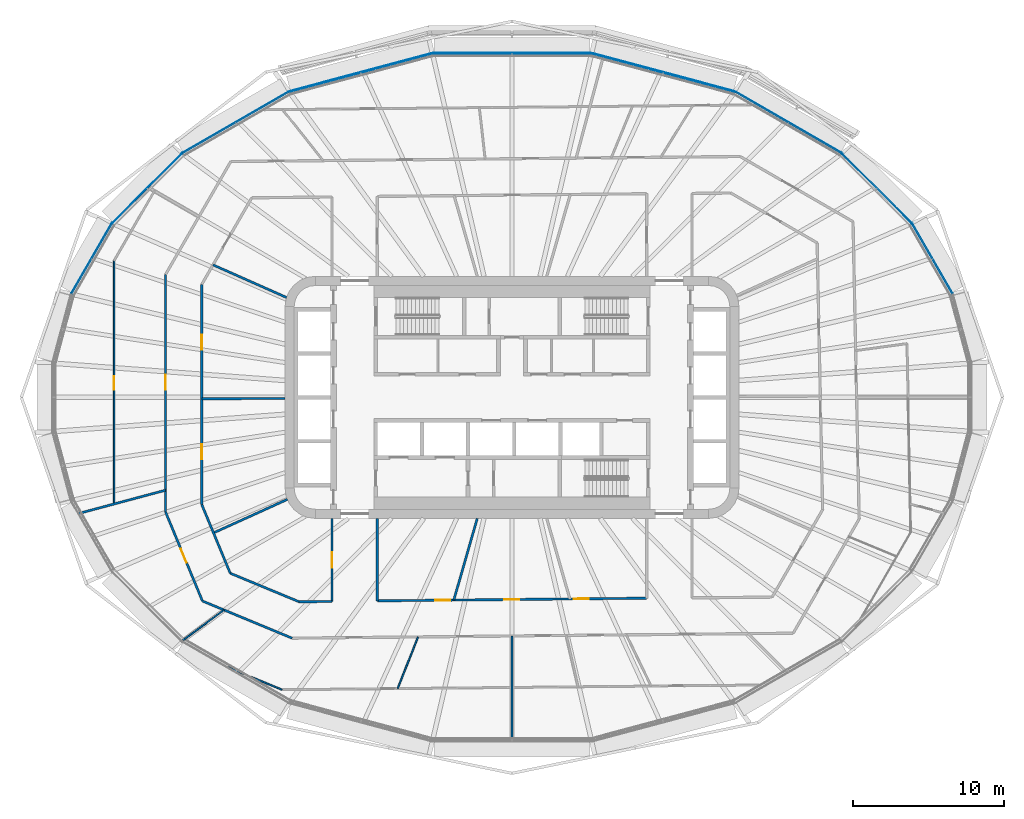
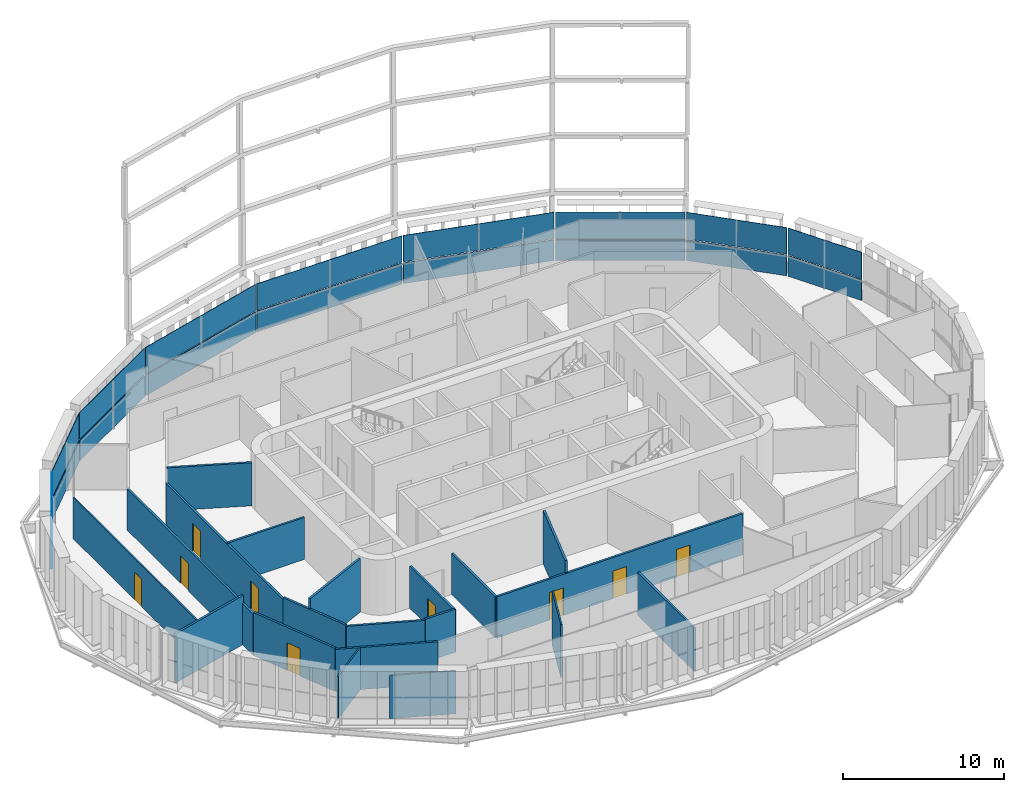
# One storey, part 10 of 22: 20 walls, 18 plates, 9 doors, 9 openings, 9 elements without a shape of their own.
"""IFC4 building model written with IfcOpenShell, lengths in metres."""

import ifcopenshell
import ifcopenshell.guid

model = None  # the IFC model being written
_history = None  # IfcOwnerHistory: only IFC2X3 demands one
_inside = {}  # id of a spatial element -> (the spatial element, [elements in it])
_under = {}  # id of a project, library or spatial element -> (it, [spatial elements below it])
_declared = {}  # id of a project -> (the project, [libraries it declares])
_typed = {}  # id of a type object -> (the type object, [elements of that type])
_made_of = {}  # id of a material, layer set ... -> (it, [elements and type objects made of it])


def new_model(schema):
    """Start an empty IFC model of exactly this schema.

    Asked for "IFC4X3", IfcOpenShell would pick the latest addendum, in which some entities
    have other attributes; the version numbers below select the first issue.
    IFC2X3 requires an IfcOwnerHistory on every rooted entity: one is made here for all.
    """
    global model, _history
    if schema == "IFC4X3":
        model = ifcopenshell.file(schema_version=(4, 3, 0, 0))
    else:
        model = ifcopenshell.file(schema=schema)
    _inside.clear()
    _under.clear()
    _declared.clear()
    _typed.clear()
    _made_of.clear()
    _history = None
    if model.schema == "IFC2X3":
        org = make("IfcOrganization", Name="unknown")
        user = make(
            "IfcPersonAndOrganization",
            ThePerson=make("IfcPerson", FamilyName="unknown"),
            TheOrganization=org,
        )
        app = make(
            "IfcApplication",
            ApplicationDeveloper=org,
            Version="unknown",
            ApplicationFullName="unknown",
            ApplicationIdentifier="unknown",
        )
        _history = make(
            "IfcOwnerHistory",
            OwningUser=user,
            OwningApplication=app,
            ChangeAction="ADDED",
            CreationDate=0,
        )
    return model


def make(cls, **values):
    """One entity of the class cls with the attributes given. An attribute that is None is left unset."""
    return model.create_entity(
        cls, **{name: value for name, value in values.items() if value is not None}
    )


def rooted(cls, **values):
    """An entity with a GlobalId (a new one), such as an element, a storey or a relation."""
    return make(cls, GlobalId=ifcopenshell.guid.new(), OwnerHistory=_history, **values)


def si_unit(unit_type, name, prefix=None):
    """IfcSIUnit, for example si_unit("LENGTHUNIT", "METRE", prefix="MILLI")."""
    return make("IfcSIUnit", UnitType=unit_type, Prefix=prefix, Name=name)


def assignment(units):
    """IfcUnitAssignment: the units of a project."""
    return None if units is None else make("IfcUnitAssignment", Units=units)


def point(xyz):
    """IfcCartesianPoint."""
    return None if xyz is None else make("IfcCartesianPoint", Coordinates=xyz)


def direction(xyz):
    """IfcDirection."""
    return None if xyz is None else make("IfcDirection", DirectionRatios=xyz)


def frame(location, z_axis=None, x_axis=None):
    """IfcAxis2Placement3D, a coordinate frame: its origin and axes. An axis left out is left unset."""
    return make(
        "IfcAxis2Placement3D",
        Location=point(location),
        Axis=direction(z_axis),
        RefDirection=direction(x_axis),
    )


def frame_2d(location, x_axis=None):
    """IfcAxis2Placement2D, a coordinate frame in the plane: its origin and x axis."""
    return make(
        "IfcAxis2Placement2D", Location=point(location), RefDirection=direction(x_axis)
    )


def origin():
    """The frame at (0, 0, 0) with its axes left unset."""
    return frame((0.0, 0.0, 0.0))


def place(relative_to, where):
    """IfcLocalPlacement: puts the frame where relative to a parent placement (None: the world)."""
    return make(
        "IfcLocalPlacement", PlacementRelTo=relative_to, RelativePlacement=where
    )


def context(
    kind, dimensions, precision=None, world=None, true_north=None, identifier=None
):
    """IfcGeometricRepresentationContext, for example the 3D "Model" context."""
    return make(
        "IfcGeometricRepresentationContext",
        ContextIdentifier=identifier,
        ContextType=kind,
        CoordinateSpaceDimension=dimensions,
        Precision=precision,
        WorldCoordinateSystem=world,
        TrueNorth=true_north,
    )


def subcontext(parent, identifier, kind, view, scale=None):
    """IfcGeometricRepresentationSubContext, for example "Body" below "Model"."""
    return make(
        "IfcGeometricRepresentationSubContext",
        ContextIdentifier=identifier,
        ContextType=kind,
        ParentContext=parent,
        TargetScale=scale,
        TargetView=view,
    )


def project(units=None, contexts=None):
    """IfcProject with its units and contexts."""
    return rooted(
        "IfcProject",
        Name="project",
        RepresentationContexts=contexts,
        UnitsInContext=assignment(units),
    )


def spatial(cls, under=None, at=None, **own):
    """A site, building, storey or space (cls), placed at a placement, below another one or the project."""
    s = rooted(cls, ObjectPlacement=at, **own)
    if under is not None:
        _under.setdefault(under.id(), (under, []))[1].append(s)
    return s


def polyline(points):
    """IfcPolyline through the points."""
    return make("IfcPolyline", Points=[point(p) for p in points])


def profile(cls, at=None, kind="AREA", **sizes):
    """A parametric profile (cls). Its sizes go by their IFC names, for example OverallWidth=200.0."""
    return make(cls, ProfileType=kind, Position=at, **sizes)


def rectangle(**sizes):
    """IfcRectangleProfileDef."""
    return profile("IfcRectangleProfileDef", **sizes)


def outline(outer, holes=None, kind="AREA"):
    """IfcArbitraryClosedProfileDef: a profile drawn as a closed curve; with holes, ...WithVoids."""
    if holes is None:
        return make("IfcArbitraryClosedProfileDef", ProfileType=kind, OuterCurve=outer)
    return make(
        "IfcArbitraryProfileDefWithVoids",
        ProfileType=kind,
        OuterCurve=outer,
        InnerCurves=holes,
    )


def extrude(swept, where, along, depth):
    """IfcExtrudedAreaSolid: the profile swept, set in the frame where, extruded along a direction by depth."""
    return make(
        "IfcExtrudedAreaSolid",
        SweptArea=swept,
        Position=where,
        ExtrudedDirection=direction(along),
        Depth=depth,
    )


def shape(context_of_items, identifier, shape_type, items):
    """IfcShapeRepresentation: the items that make up one representation, for example the "Body"."""
    return make(
        "IfcShapeRepresentation",
        ContextOfItems=context_of_items,
        RepresentationIdentifier=identifier,
        RepresentationType=shape_type,
        Items=items,
    )


def material(Name=None, Category=None):
    """IfcMaterial."""
    return make("IfcMaterial", Name=Name, Category=Category)


def layer(
    of_material, thickness, ventilated=None, Name=None, Category=None, Priority=None
):
    """IfcMaterialLayer: one layer of a wall or slab, of a material (None: an air gap)."""
    return make(
        "IfcMaterialLayer",
        Material=of_material,
        LayerThickness=thickness,
        IsVentilated=ventilated,
        Name=Name,
        Category=Category,
        Priority=Priority,
    )


def layer_set(layers, Name=None):
    """IfcMaterialLayerSet."""
    return make("IfcMaterialLayerSet", MaterialLayers=layers, LayerSetName=Name)


def made_of(thing, what):
    """Note that an element or type object is made of a material, layer set ...; save() writes the relation."""
    if what is not None:
        _made_of.setdefault(what.id(), (what, []))[1].append(thing)
    return thing


def type_object(cls, material=None, **own):
    """A type object (cls), such as IfcWallType, which elements share."""
    return made_of(rooted(cls, **own), material)


def element(
    cls,
    number,
    at=None,
    inside=None,
    cuts=None,
    type_object=None,
    material=None,
    context=None,
    identifier="Body",
    shape_type=None,
    held_by="IfcProductDefinitionShape",
    body=None,
    shapes=None,
    **own,
):
    """One element of the class cls, such as IfcWall. Its Tag is "e" and its number.

    at: its placement. inside: the storey or other place that contains it. cuts: it is an
    opening in that element (IfcRelVoidsElement). A single representation is given by context,
    identifier, shape_type and body (its items); several are given by shapes. held_by: the class
    of the entity that holds the representations. save() writes the other relations.
    """
    e = rooted(cls, Tag="e%d" % number, ObjectPlacement=at, **own)
    if body is not None:
        shapes = [shape(context, identifier, shape_type, body)]
    if shapes is not None:
        e.Representation = make(held_by, Representations=shapes)
    if inside is not None:
        _inside.setdefault(inside.id(), (inside, []))[1].append(e)
    if cuts is not None:
        rooted(
            "IfcRelVoidsElement", RelatingBuildingElement=cuts, RelatedOpeningElement=e
        )
    if type_object is not None:
        _typed.setdefault(type_object.id(), (type_object, []))[1].append(e)
    return made_of(e, material)


def fill(opening, filler):
    """IfcRelFillsElement: the door or window that sits in an opening."""
    return rooted(
        "IfcRelFillsElement",
        RelatingOpeningElement=opening,
        RelatedBuildingElement=filler,
    )


def aggregate(whole, parts):
    """IfcRelAggregates: a whole, such as a stair, and the parts it consists of."""
    return rooted("IfcRelAggregates", RelatingObject=whole, RelatedObjects=parts)


def save(model, path):
    """Write the relations noted so far, then the file.

    IfcRelAggregates (storeys below a building ...), IfcRelContainedInSpatialStructure (elements
    in a storey), IfcRelDefinesByType, IfcRelAssociatesMaterial and IfcRelDeclares: one each for
    every whole, place, type object, material and project.
    """
    for whole, parts in _under.values():
        aggregate(whole, parts)
    for where, things in _inside.values():
        rooted(
            "IfcRelContainedInSpatialStructure",
            RelatedElements=things,
            RelatingStructure=where,
        )
    for kind, things in _typed.values():
        rooted("IfcRelDefinesByType", RelatedObjects=things, RelatingType=kind)
    for what, things in _made_of.values():
        rooted("IfcRelAssociatesMaterial", RelatedObjects=things, RelatingMaterial=what)
    for by, libraries in _declared.values():
        rooted("IfcRelDeclares", RelatingContext=by, RelatedDefinitions=libraries)
    model.write(path)


model = new_model("IFC4")

# Units and contexts
model_context = context("Model", 3, precision=1e-05, world=origin(), true_north=direction((0.0, 1.0)))
body_context = subcontext(model_context, "Body", "Model", "MODEL_VIEW")
ifc_project = project(units=[si_unit("LENGTHUNIT", "METRE"), si_unit("AREAUNIT", "SQUARE_METRE"), si_unit("VOLUMEUNIT", "CUBIC_METRE"), si_unit("PLANEANGLEUNIT", "RADIAN"), si_unit("MASSUNIT", "GRAM", prefix="KILO")], contexts=[model_context])

# Site, building, storey
site_placement = place(None, origin())
site = spatial("IfcSite", under=ifc_project, at=site_placement, CompositionType="ELEMENT")
building_placement = place(site_placement, origin())
building = spatial("IfcBuilding", under=site, at=building_placement, Name="Sahrelin Media Tower", CompositionType="ELEMENT")
storey_placement = place(building_placement, frame((0.0, 0.0, 50.39990234375)))
storey = spatial("IfcBuildingStorey", under=building, at=storey_placement, Name="L07", CompositionType="ELEMENT", Elevation=50.39990234375)

# Curtain wall, plate
ifc_material_1 = material(Name="Champagne anodised aluminium 6063-T6", Category="aluminium")
ifc_layer_1 = layer(ifc_material_1, 0.14990234375)
ifc_layer_set_1 = layer_set([ifc_layer_1], Name="Tower ribbon curtain wall")
curtain_wall_type = type_object("IfcCurtainWallType", Name="Tower ribbon curtain wall", PredefinedType="NOTDEFINED", material=ifc_layer_set_1)
curtain_wall_1_placement = place(storey_placement, frame((27.79638671875, 9.162841796875, 0.0), z_axis=(0.0, 0.0, 1.0), x_axis=(1.0, 0.0, 0.0)))
curtain_wall_1 = element("IfcCurtainWall", 1, at=curtain_wall_1_placement, inside=storey, type_object=curtain_wall_type, Name="L07:CW:L07-02", PredefinedType="NOTDEFINED")
ifc_material_2 = material(Name="Clear low-iron glazing", Category="glass")
ifc_layer_2 = layer(ifc_material_2, 0.0400390625)
ifc_layer_set_2 = layer_set([ifc_layer_2], Name="Glazing panel 40 mm CW1")
plate_type_1 = type_object("IfcPlateType", Name="Glazing panel 40 mm CW1", PredefinedType="CURTAIN_PANEL", material=ifc_layer_set_2)
plate_1_placement = place(storey_placement, frame((29.13525390625, 6.8837890625, 1.630126953125), z_axis=(0.866023301845, 0.500003640647, 0.0), x_axis=(-0.500003640647, 0.866023301845, 0.0)))
plate_1 = element("IfcPlate", 2, at=plate_1_placement, type_object=plate_type_1, Name="L07:CWP2:L07-02", PredefinedType="CURTAIN_PANEL", context=body_context, shape_type="SweptSolid", body=[
    extrude(outline(polyline([(0.0, 0.0), (5.2861328125, 0.0), (5.2861328125, 2.0185546875), (0.0, 2.0185546875), (0.0, 0.0)])), origin(), (0.0, 0.0, -1.0), 0.0400390625),
])

curtain_wall_2_placement = place(storey_placement, frame((24.13427734375, 13.810791015625, 0.0), z_axis=(0.0, 0.0, 1.0), x_axis=(1.0, 0.0, 0.0)))
curtain_wall_2 = element("IfcCurtainWall", 3, at=curtain_wall_2_placement, inside=storey, type_object=curtain_wall_type, Name="L07:CW:L07-03", PredefinedType="NOTDEFINED")
plate_2_placement = place(storey_placement, frame((26.4287109375, 11.54443359375, 1.630126953125), z_axis=(0.707125706255, 0.707087855612, 0.0), x_axis=(-0.707087855612, 0.707125706255, 0.0)))
plate_2 = element("IfcPlate", 4, at=plate_2_placement, type_object=plate_type_1, Name="L07:CWP2:L07-03", PredefinedType="CURTAIN_PANEL", context=body_context, shape_type="SweptSolid", body=[
    extrude(outline(polyline([(0.0, 0.0), (6.4501953125, 0.0), (6.4501953125, 2.0185546875), (0.0, 2.0185546875), (0.0, 0.0)])), origin(), (0.0, 0.0, -1.0), 0.0400390625),
])

curtain_wall_3_placement = place(storey_placement, frame((18.27880859375, 18.170166015625, 0.0), z_axis=(0.0, 0.0, 1.0), x_axis=(1.0, 0.0, 0.0)))
curtain_wall_3 = element("IfcCurtainWall", 5, at=curtain_wall_3_placement, inside=storey, type_object=curtain_wall_type, Name="L07:CW:L07-04", PredefinedType="NOTDEFINED")
plate_3_placement = place(storey_placement, frame((21.784912109375, 16.1689453125, 1.630126953125), z_axis=(0.500015609314, 0.866016391555, 0.0), x_axis=(-0.866016391555, 0.500015609314, 0.0)))
plate_3 = element("IfcPlate", 6, at=plate_3_placement, type_object=plate_type_1, Name="L07:CWP2:L07-04", PredefinedType="CURTAIN_PANEL", context=body_context, shape_type="SweptSolid", body=[
    extrude(outline(polyline([(0.0, 0.0), (8.073974609375, 0.0), (8.073974609375, 2.0185546875), (0.0, 2.0185546875), (0.0, 0.0)])), origin(), (0.0, 0.0, -1.0), 0.0400390625),
])

curtain_wall_4_placement = place(storey_placement, frame((10.003173828125, 21.48291015625, 0.0), z_axis=(0.0, 0.0, 1.0), x_axis=(1.0, 0.0, 0.0)))
curtain_wall_4 = element("IfcCurtainWall", 7, at=curtain_wall_4_placement, inside=storey, type_object=curtain_wall_type, Name="L07:CW:L07-05", PredefinedType="NOTDEFINED")
plate_4_placement = place(storey_placement, frame((14.6962890625, 20.24609375, 1.630126953125), z_axis=(0.258811517238, 0.965927843343, 0.0), x_axis=(-0.965927843343, 0.258811517238, 0.0)))
plate_4 = element("IfcPlate", 8, at=plate_4_placement, type_object=plate_type_1, Name="L07:CWP2:L07-05", PredefinedType="CURTAIN_PANEL", context=body_context, shape_type="SweptSolid", body=[
    extrude(outline(polyline([(0.0, 0.0), (9.706787109375, 0.0), (9.706787109375, 2.0185546875), (0.0, 2.0185546875), (0.0, 0.0)])), origin(), (0.0, 0.0, -1.0), 0.0400390625),
])

curtain_wall_5_placement = place(storey_placement, frame((0.0, 22.751708984375, 0.0), z_axis=(0.0, 0.0, 1.0), x_axis=(1.0, 0.0, 0.0)))
curtain_wall_5 = element("IfcCurtainWall", 9, at=curtain_wall_5_placement, inside=storey, type_object=curtain_wall_type, Name="L07:CW:L07-06", PredefinedType="NOTDEFINED")
plate_5_placement = place(storey_placement, frame((5.216796875, 22.771728515625, 1.630126953125), z_axis=(0.0, 1.0, 0.0), x_axis=(-1.0, 0.0, 0.0)))
plate_5 = element("IfcPlate", 10, at=plate_5_placement, type_object=plate_type_1, Name="L07:CWP2:L07-06", PredefinedType="CURTAIN_PANEL", context=body_context, shape_type="SweptSolid", body=[
    extrude(outline(polyline([(0.0, 0.0), (10.43359375, 0.0), (10.43359375, 2.0185546875), (0.0, 2.0185546875), (0.0, 0.0)])), origin(), (0.0, 0.0, -1.0), 0.0400390625),
])

curtain_wall_6_placement = place(storey_placement, frame((-10.003173828125, 21.482666015625, 0.0), z_axis=(0.0, 0.0, 1.0), x_axis=(1.0, 0.0, 0.0)))
curtain_wall_6 = element("IfcCurtainWall", 11, at=curtain_wall_6_placement, inside=storey, type_object=curtain_wall_type, Name="L07:CW:L07-07", PredefinedType="NOTDEFINED")
plate_6_placement = place(storey_placement, frame((-5.3203125, 22.75830078125, 1.630126953125), z_axis=(-0.258811517238, 0.965927843343, 0.0), x_axis=(-0.965927843343, -0.258811517238, 0.0)))
plate_6 = element("IfcPlate", 12, at=plate_6_placement, type_object=plate_type_1, Name="L07:CWP2:L07-07", PredefinedType="CURTAIN_PANEL", context=body_context, shape_type="SweptSolid", body=[
    extrude(outline(polyline([(0.0, 0.0), (9.706787109375, 0.0), (9.706787109375, 2.0185546875), (0.0, 2.0185546875), (0.0, 0.0)])), origin(), (0.0, 0.0, -1.0), 0.0400390625),
])

curtain_wall_7_placement = place(storey_placement, frame((-18.27880859375, 18.170166015625, 0.0), z_axis=(0.0, 0.0, 1.0), x_axis=(1.0, 0.0, 0.0)))
curtain_wall_7 = element("IfcCurtainWall", 13, at=curtain_wall_7_placement, inside=storey, type_object=curtain_wall_type, Name="L07:CW:L07-08", PredefinedType="NOTDEFINED")
plate_7_placement = place(storey_placement, frame((-14.792724609375, 20.2060546875, 1.630126953125), z_axis=(-0.500015609314, 0.866016391555, 0.0), x_axis=(-0.866016391555, -0.500015609314, 0.0)))
plate_7 = element("IfcPlate", 14, at=plate_7_placement, type_object=plate_type_1, Name="L07:CWP2:L07-08", PredefinedType="CURTAIN_PANEL", context=body_context, shape_type="SweptSolid", body=[
    extrude(outline(polyline([(0.0, 0.0), (8.073974609375, 0.0), (8.073974609375, 2.0185546875), (0.0, 2.0185546875), (0.0, 0.0)])), origin(), (0.0, 0.0, -1.0), 0.0400390625),
])

curtain_wall_8_placement = place(storey_placement, frame((-24.134033203125, 13.810791015625, 0.0), z_axis=(0.0, 0.0, 1.0), x_axis=(1.0, 0.0, 0.0)))
curtain_wall_8 = element("IfcCurtainWall", 15, at=curtain_wall_8_placement, inside=storey, type_object=curtain_wall_type, Name="L07:CW:L07-09", PredefinedType="NOTDEFINED")
plate_8_placement = place(storey_placement, frame((-21.867919921875, 16.10546875, 1.630126953125), z_axis=(-0.707125706255, 0.707087855612, 0.0), x_axis=(-0.707087855612, -0.707125706255, 0.0)))
plate_8 = element("IfcPlate", 16, at=plate_8_placement, type_object=plate_type_1, Name="L07:CWP2:L07-09", PredefinedType="CURTAIN_PANEL", context=body_context, shape_type="SweptSolid", body=[
    extrude(outline(polyline([(0.0, 0.0), (6.4501953125, 0.0), (6.4501953125, 2.0185546875), (0.0, 2.0185546875), (0.0, 0.0)])), origin(), (0.0, 0.0, -1.0), 0.0400390625),
])

curtain_wall_9_placement = place(storey_placement, frame((-27.79638671875, 9.162841796875, 0.0), z_axis=(0.0, 0.0, 1.0), x_axis=(1.0, 0.0, 0.0)))
curtain_wall_9 = element("IfcCurtainWall", 17, at=curtain_wall_9_placement, inside=storey, type_object=curtain_wall_type, Name="L07:CW:L07-10", PredefinedType="NOTDEFINED")
plate_9_placement = place(storey_placement, frame((-26.4921875, 11.461669921875, 1.630126953125), z_axis=(-0.866023301845, 0.500003640647, 0.0), x_axis=(-0.500003640647, -0.866023301845, 0.0)))
plate_9 = element("IfcPlate", 18, at=plate_9_placement, type_object=plate_type_1, Name="L07:CWP2:L07-10", PredefinedType="CURTAIN_PANEL", context=body_context, shape_type="SweptSolid", body=[
    extrude(outline(polyline([(0.0, 0.0), (5.2861328125, 0.0), (5.2861328125, 2.0185546875), (0.0, 2.0185546875), (0.0, 0.0)])), origin(), (0.0, 0.0, -1.0), 0.0400390625),
])

# Plate
ifc_material_3 = material(Name="Insulated spandrel panel")
ifc_layer_3 = layer(ifc_material_3, 0.06005859375)
ifc_layer_set_3 = layer_set([ifc_layer_3], Name="Spandrel panel 60 mm CW1")
plate_type_2 = type_object("IfcPlateType", Name="Spandrel panel 60 mm CW1", PredefinedType="SHEET", material=ifc_layer_set_3)
plate_10_placement = place(storey_placement, frame((29.13525390625, 6.8837890625, 0.0), z_axis=(0.866023301845, 0.500003640647, 0.0), x_axis=(-0.500003640647, 0.866023301845, 0.0)))
plate_10 = element("IfcPlate", 19, at=plate_10_placement, type_object=plate_type_2, Name="L07:CWP1:L07-02", PredefinedType="SHEET", context=body_context, shape_type="SweptSolid", body=[
    extrude(outline(polyline([(0.0, 0.0), (5.2861328125, 0.0), (5.2861328125, 1.570068359375), (0.0, 1.570068359375), (0.0, 0.0)])), origin(), (0.0, 0.0, -1.0), 0.06005859375),
])

aggregate(curtain_wall_1, [plate_10, plate_1])

plate_11_placement = place(storey_placement, frame((26.4287109375, 11.54443359375, 0.0), z_axis=(0.707125706255, 0.707087855612, 0.0), x_axis=(-0.707087855612, 0.707125706255, 0.0)))
plate_11 = element("IfcPlate", 20, at=plate_11_placement, type_object=plate_type_2, Name="L07:CWP1:L07-03", PredefinedType="SHEET", context=body_context, shape_type="SweptSolid", body=[
    extrude(outline(polyline([(0.0, 0.0), (6.4501953125, 0.0), (6.4501953125, 1.570068359375), (0.0, 1.570068359375), (0.0, 0.0)])), origin(), (0.0, 0.0, -1.0), 0.06005859375),
])

aggregate(curtain_wall_2, [plate_11, plate_2])

plate_12_placement = place(storey_placement, frame((21.784912109375, 16.1689453125, 0.0), z_axis=(0.500015609314, 0.866016391555, 0.0), x_axis=(-0.866016391555, 0.500015609314, 0.0)))
plate_12 = element("IfcPlate", 21, at=plate_12_placement, type_object=plate_type_2, Name="L07:CWP1:L07-04", PredefinedType="SHEET", context=body_context, shape_type="SweptSolid", body=[
    extrude(outline(polyline([(0.0, 0.0), (8.073974609375, 0.0), (8.073974609375, 1.570068359375), (0.0, 1.570068359375), (0.0, 0.0)])), origin(), (0.0, 0.0, -1.0), 0.06005859375),
])

aggregate(curtain_wall_3, [plate_12, plate_3])

plate_13_placement = place(storey_placement, frame((14.6962890625, 20.24609375, 0.0), z_axis=(0.258811517238, 0.965927843343, 0.0), x_axis=(-0.965927843343, 0.258811517238, 0.0)))
plate_13 = element("IfcPlate", 22, at=plate_13_placement, type_object=plate_type_2, Name="L07:CWP1:L07-05", PredefinedType="SHEET", context=body_context, shape_type="SweptSolid", body=[
    extrude(outline(polyline([(0.0, 0.0), (9.706787109375, 0.0), (9.706787109375, 1.570068359375), (0.0, 1.570068359375), (0.0, 0.0)])), origin(), (0.0, 0.0, -1.0), 0.06005859375),
])

aggregate(curtain_wall_4, [plate_13, plate_4])

plate_14_placement = place(storey_placement, frame((5.216796875, 22.771728515625, 0.0), z_axis=(0.0, 1.0, 0.0), x_axis=(-1.0, 0.0, 0.0)))
plate_14 = element("IfcPlate", 23, at=plate_14_placement, type_object=plate_type_2, Name="L07:CWP1:L07-06", PredefinedType="SHEET", context=body_context, shape_type="SweptSolid", body=[
    extrude(outline(polyline([(0.0, 0.0), (10.43359375, 0.0), (10.43359375, 1.570068359375), (0.0, 1.570068359375), (0.0, 0.0)])), origin(), (0.0, 0.0, -1.0), 0.06005859375),
])

aggregate(curtain_wall_5, [plate_14, plate_5])

plate_15_placement = place(storey_placement, frame((-5.3203125, 22.75830078125, 0.0), z_axis=(-0.258811517238, 0.965927843343, 0.0), x_axis=(-0.965927843343, -0.258811517238, 0.0)))
plate_15 = element("IfcPlate", 24, at=plate_15_placement, type_object=plate_type_2, Name="L07:CWP1:L07-07", PredefinedType="SHEET", context=body_context, shape_type="SweptSolid", body=[
    extrude(outline(polyline([(0.0, 0.0), (9.706787109375, 0.0), (9.706787109375, 1.570068359375), (0.0, 1.570068359375), (0.0, 0.0)])), origin(), (0.0, 0.0, -1.0), 0.06005859375),
])

aggregate(curtain_wall_6, [plate_15, plate_6])

plate_16_placement = place(storey_placement, frame((-14.792724609375, 20.2060546875, 0.0), z_axis=(-0.500015609314, 0.866016391555, 0.0), x_axis=(-0.866016391555, -0.500015609314, 0.0)))
plate_16 = element("IfcPlate", 25, at=plate_16_placement, type_object=plate_type_2, Name="L07:CWP1:L07-08", PredefinedType="SHEET", context=body_context, shape_type="SweptSolid", body=[
    extrude(outline(polyline([(0.0, 0.0), (8.073974609375, 0.0), (8.073974609375, 1.570068359375), (0.0, 1.570068359375), (0.0, 0.0)])), origin(), (0.0, 0.0, -1.0), 0.06005859375),
])

aggregate(curtain_wall_7, [plate_16, plate_7])

plate_17_placement = place(storey_placement, frame((-21.867919921875, 16.10546875, 0.0), z_axis=(-0.707125706255, 0.707087855612, 0.0), x_axis=(-0.707087855612, -0.707125706255, 0.0)))
plate_17 = element("IfcPlate", 26, at=plate_17_placement, type_object=plate_type_2, Name="L07:CWP1:L07-09", PredefinedType="SHEET", context=body_context, shape_type="SweptSolid", body=[
    extrude(outline(polyline([(0.0, 0.0), (6.4501953125, 0.0), (6.4501953125, 1.570068359375), (0.0, 1.570068359375), (0.0, 0.0)])), origin(), (0.0, 0.0, -1.0), 0.06005859375),
])

aggregate(curtain_wall_8, [plate_17, plate_8])

plate_18_placement = place(storey_placement, frame((-26.4921875, 11.461669921875, 0.0), z_axis=(-0.866023301845, 0.500003640647, 0.0), x_axis=(-0.500003640647, -0.866023301845, 0.0)))
plate_18 = element("IfcPlate", 27, at=plate_18_placement, type_object=plate_type_2, Name="L07:CWP1:L07-10", PredefinedType="SHEET", context=body_context, shape_type="SweptSolid", body=[
    extrude(outline(polyline([(0.0, 0.0), (5.2861328125, 0.0), (5.2861328125, 1.570068359375), (0.0, 1.570068359375), (0.0, 0.0)])), origin(), (0.0, 0.0, -1.0), 0.06005859375),
])

aggregate(curtain_wall_9, [plate_18, plate_9])

# Wall, opening, door
ifc_material_4 = material(Name="Fire-rated gypsum board partition")
ifc_layer_4 = layer(ifc_material_4, 0.14990234375)
ifc_layer_set_4 = layer_set([ifc_layer_4], Name="Fire-rated partition 150")
wall_type_1 = type_object("IfcWallType", Name="Fire-rated partition 150", PredefinedType="PARTITIONING", material=ifc_layer_set_4)
wall_1_placement = place(storey_placement, frame((-22.89990234375, -7.572021484375, 0.0), z_axis=(0.0, 0.0, 1.0), x_axis=(0.382860357704, -0.923806227788, 0.0)))
wall_1 = element("IfcWall", 28, at=wall_1_placement, inside=storey, type_object=wall_type_1, Name="Wall", PredefinedType="PARTITIONING", context=body_context, shape_type="SweptSolid", body=[
    extrude(rectangle(XDim=6.37353515625, YDim=0.14990234375, at=frame_2d((3.186767578125, 0.0))), origin(), (0.0, 0.0, 1.0), 3.276123046875),
])
opening_1_placement = place(wall_1_placement, frame((2.637451171875, 0.0, 0.0)))
opening_1 = element("IfcOpeningElement", 29, at=opening_1_placement, cuts=wall_1, Name="Opening L07-D48", PredefinedType="OPENING", context=body_context, shape_type="SweptSolid", body=[
    extrude(rectangle(XDim=1.0, YDim=2.10009765625, at=frame_2d((0.5, 1.050048828125))), frame((0.0, 0.074951171875, 0.0), z_axis=(0.0, -1.0, 0.0), x_axis=(1.0, 0.0, 0.0)), (0.0, 0.0, 1.0), 0.14990234375),
])
ifc_material_5 = material(Name="Steel fire door leaf", Category="steel")
door_type_1 = type_object("IfcDoorType", Name="Fire door 1000 x 2100 EI 60", OperationType="NOTDEFINED", PredefinedType="DOOR", material=ifc_material_5)
door_1_placement = place(opening_1_placement, origin())
door_1 = element("IfcDoor", 30, at=door_1_placement, inside=storey, type_object=door_type_1, Name="Fire door", OperationType="SINGLE_SWING_LEFT", OverallHeight=2.10009765625, OverallWidth=1.0, PredefinedType="DOOR", context=body_context, shape_type="SweptSolid", body=[
    extrude(rectangle(XDim=1.0, YDim=2.10009765625, at=frame_2d((0.5, 1.050048828125))), frame((0.0, 0.02490234375, 0.0), z_axis=(0.0, -1.0, 0.0), x_axis=(1.0, 0.0, 0.0)), (0.0, 0.0, 1.0), 0.050048828125),
])
fill(opening_1, door_1)

# Walls
wall_2_placement = place(storey_placement, frame((-20.5, -7.094970703125, 0.0), z_axis=(0.0, 0.0, 1.0), x_axis=(0.382878184095, -0.923798839653, 0.0)))
element("IfcWall", 31, at=wall_2_placement, inside=storey, type_object=wall_type_1, Name="Wall", PredefinedType="PARTITIONING", context=body_context, shape_type="SweptSolid", body=[
    extrude(rectangle(XDim=4.901611328125, YDim=0.14990234375, at=frame_2d((2.45068359375, 0.0))), origin(), (0.0, 0.0, 1.0), 3.276123046875),
])
wall_3_placement = place(storey_placement, frame((-19.760009765625, 8.7548828125, 0.0), z_axis=(0.0, 0.0, 1.0), x_axis=(0.91424834547, -0.405154245695, 0.0)))
element("IfcWall", 32, at=wall_3_placement, inside=storey, type_object=wall_type_1, Name="Wall", PredefinedType="PARTITIONING", context=body_context, shape_type="SweptSolid", body=[
    extrude(rectangle(XDim=5.31787109375, YDim=0.14990234375, at=frame_2d((2.658935546875, 0.0))), origin(), (0.0, 0.0, 1.0), 3.276123046875),
])
wall_4_placement = place(storey_placement, frame((-20.4599609375, -13.4599609375, 0.0), z_axis=(0.0, 0.0, 1.0), x_axis=(0.9237825057, -0.382917591869, 0.0)))
element("IfcWall", 33, at=wall_4_placement, inside=storey, type_object=wall_type_1, Name="Wall", PredefinedType="PARTITIONING", context=body_context, shape_type="SweptSolid", body=[
    extrude(rectangle(XDim=6.414794921875, YDim=0.14990234375, at=frame_2d((3.20751953125, 0.0))), origin(), (0.0, 0.0, 1.0), 3.1953125),
])
wall_5_placement = place(storey_placement, frame((-18.623046875, -11.623046875, 0.0), z_axis=(0.0, 0.0, 1.0), x_axis=(0.923791670587, -0.38289548098, 0.0)))
element("IfcWall", 34, at=wall_5_placement, inside=storey, type_object=wall_type_1, Name="Wall", PredefinedType="PARTITIONING", context=body_context, shape_type="SweptSolid", body=[
    extrude(rectangle(XDim=4.9306640625, YDim=0.14990234375, at=frame_2d((2.46533203125, 0.0))), origin(), (0.0, 0.0, 1.0), 3.1953125),
])
wall_6_placement = place(storey_placement, frame((-20.5, -0.093994140625, 0.0), z_axis=(0.0, 0.0, 1.0), x_axis=(0.999990148138, 0.004438876723, 0.0)))
element("IfcWall", 35, at=wall_6_placement, inside=storey, type_object=wall_type_1, Name="Wall", PredefinedType="PARTITIONING", context=body_context, shape_type="SweptSolid", body=[
    extrude(rectangle(XDim=5.5, YDim=0.14990234375, at=frame_2d((2.75, 0.0))), origin(), (0.0, 0.0, 1.0), 3.1953125),
])
wall_7_placement = place(storey_placement, frame((-14.068115234375, -13.510986328125, 0.0), z_axis=(0.0, 0.0, 1.0), x_axis=(0.999950911515, 0.009908307647, 0.0)))
element("IfcWall", 36, at=wall_7_placement, inside=storey, type_object=wall_type_1, Name="Wall", PredefinedType="PARTITIONING", context=body_context, shape_type="SweptSolid", body=[
    extrude(rectangle(XDim=2.168212890625, YDim=0.14990234375, at=frame_2d((1.083984375, 0.0))), origin(), (0.0, 0.0, 1.0), 3.276123046875),
])

# Wall, openings, doors
wall_8_placement = place(storey_placement, frame((-8.89990234375, -13.448974609375, 0.0), z_axis=(0.0, 0.0, 1.0), x_axis=(0.999950834077, 0.009916119672, 0.0)))
wall_8 = element("IfcWall", 37, at=wall_8_placement, inside=storey, type_object=wall_type_1, Name="Wall", PredefinedType="PARTITIONING", context=body_context, shape_type="SweptSolid", body=[
    extrude(rectangle(XDim=17.80078125, YDim=0.14990234375, at=frame_2d((8.900390625, 0.0))), origin(), (0.0, 0.0, 1.0), 3.127197265625),
])
opening_2_placement = place(wall_8_placement, frame((3.81787109375, 0.0, 0.0)))
opening_2 = element("IfcOpeningElement", 38, at=opening_2_placement, cuts=wall_8, Name="Opening L07-D23", PredefinedType="OPENING", context=body_context, shape_type="SweptSolid", body=[
    extrude(rectangle(XDim=1.0, YDim=2.10009765625, at=frame_2d((0.5, 1.050048828125))), frame((0.0, 0.074951171875, 0.0), z_axis=(0.0, -1.0, 0.0), x_axis=(1.0, 0.0, 0.0)), (0.0, 0.0, 1.0), 0.14990234375),
])
opening_3_placement = place(wall_8_placement, frame((8.390869140625, 0.0, 0.0)))
opening_3 = element("IfcOpeningElement", 39, at=opening_3_placement, cuts=wall_8, Name="Opening L07-D24", PredefinedType="OPENING", context=body_context, shape_type="SweptSolid", body=[
    extrude(rectangle(XDim=1.0, YDim=2.10009765625, at=frame_2d((0.5, 1.050048828125))), frame((0.0, 0.074951171875, 0.0), z_axis=(0.0, -1.0, 0.0), x_axis=(1.0, 0.0, 0.0)), (0.0, 0.0, 1.0), 0.14990234375),
])
opening_4_placement = place(wall_8_placement, frame((12.974609375, 0.0, 0.0)))
opening_4 = element("IfcOpeningElement", 40, at=opening_4_placement, cuts=wall_8, Name="Opening L07-D25", PredefinedType="OPENING", context=body_context, shape_type="SweptSolid", body=[
    extrude(rectangle(XDim=1.0, YDim=2.10009765625, at=frame_2d((0.5, 1.050048828125))), frame((0.0, 0.074951171875, 0.0), z_axis=(0.0, -1.0, 0.0), x_axis=(1.0, 0.0, 0.0)), (0.0, 0.0, 1.0), 0.14990234375),
])
door_2_placement = place(opening_2_placement, origin())
door_2 = element("IfcDoor", 41, at=door_2_placement, inside=storey, type_object=door_type_1, Name="Fire door", OperationType="SINGLE_SWING_LEFT", OverallHeight=2.10009765625, OverallWidth=1.0, PredefinedType="DOOR", context=body_context, shape_type="SweptSolid", body=[
    extrude(rectangle(XDim=1.0, YDim=2.10009765625, at=frame_2d((0.5, 1.050048828125))), frame((0.0, 0.02490234375, 0.0), z_axis=(0.0, -1.0, 0.0), x_axis=(1.0, 0.0, 0.0)), (0.0, 0.0, 1.0), 0.050048828125),
])
fill(opening_2, door_2)
door_3_placement = place(opening_3_placement, origin())
door_3 = element("IfcDoor", 42, at=door_3_placement, inside=storey, type_object=door_type_1, Name="Fire door", OperationType="SINGLE_SWING_RIGHT", OverallHeight=2.10009765625, OverallWidth=1.0, PredefinedType="DOOR", context=body_context, shape_type="SweptSolid", body=[
    extrude(rectangle(XDim=1.0, YDim=2.10009765625, at=frame_2d((0.5, 1.050048828125))), frame((0.0, 0.02490234375, 0.0), z_axis=(0.0, -1.0, 0.0), x_axis=(1.0, 0.0, 0.0)), (0.0, 0.0, 1.0), 0.050048828125),
])
fill(opening_3, door_3)
door_4_placement = place(opening_4_placement, origin())
door_4 = element("IfcDoor", 43, at=door_4_placement, inside=storey, type_object=door_type_1, Name="Fire door", OperationType="SINGLE_SWING_RIGHT", OverallHeight=2.10009765625, OverallWidth=1.0, PredefinedType="DOOR", context=body_context, shape_type="SweptSolid", body=[
    extrude(rectangle(XDim=1.0, YDim=2.10009765625, at=frame_2d((0.5, 1.050048828125))), frame((0.0, 0.02490234375, 0.0), z_axis=(0.0, -1.0, 0.0), x_axis=(1.0, 0.0, 0.0)), (0.0, 0.0, 1.0), 0.050048828125),
])
fill(opening_4, door_4)

# Walls
wall_9_placement = place(storey_placement, frame((-28.654052734375, -7.677978515625, 0.0), z_axis=(0.0, 0.0, 1.0), x_axis=(0.965918597777, 0.258846020771, 0.0)))
element("IfcWall", 44, at=wall_9_placement, inside=storey, type_object=wall_type_1, Name="Wall", PredefinedType="PARTITIONING", context=body_context, shape_type="SweptSolid", body=[
    extrude(rectangle(XDim=5.957275390625, YDim=0.14990234375, at=frame_2d((2.978515625, 0.0))), origin(), (0.0, 0.0, 1.0), 3.726806640625),
])
wall_10_placement = place(storey_placement, frame((-19.72802734375, -8.9580078125, 0.0), z_axis=(0.0, 0.0, 1.0), x_axis=(0.910629511797, 0.413223779863, 0.0)))
element("IfcWall", 45, at=wall_10_placement, inside=storey, type_object=wall_type_1, Name="Wall", PredefinedType="PARTITIONING", context=body_context, shape_type="SweptSolid", body=[
    extrude(rectangle(XDim=5.3681640625, YDim=0.14990234375, at=frame_2d((2.68408203125, 0.0))), origin(), (0.0, 0.0, 1.0), 4.050048828125),
])
wall_11_placement = place(storey_placement, frame((-3.845947265625, -13.39892578125, 0.0), z_axis=(0.0, 0.0, 1.0), x_axis=(0.275914969745, 0.961182048038, 0.0)))
element("IfcWall", 46, at=wall_11_placement, inside=storey, type_object=wall_type_1, Name="Wall", PredefinedType="PARTITIONING", context=body_context, shape_type="SweptSolid", body=[
    extrude(rectangle(XDim=5.616943359375, YDim=0.14990234375, at=frame_2d((2.80859375, 0.0))), origin(), (0.0, 0.0, 1.0), 4.050048828125),
])
wall_12_placement = place(storey_placement, frame((0.0, -22.751953125, 0.0), z_axis=(0.0, 0.0, 1.0), x_axis=(0.0, 1.0, 0.0)))
element("IfcWall", 47, at=wall_12_placement, inside=storey, type_object=wall_type_1, Name="Wall", PredefinedType="PARTITIONING", context=body_context, shape_type="SweptSolid", body=[
    extrude(rectangle(XDim=6.97998046875, YDim=0.14990234375, at=frame_2d((3.489990234375, 0.0))), origin(), (0.0, 0.0, 1.0), 3.276123046875),
])
wall_13_placement = place(storey_placement, frame((-8.89990234375, -13.448974609375, 0.0), z_axis=(0.0, 0.0, 1.0), x_axis=(0.0, 1.0, 0.0)))
element("IfcWall", 48, at=wall_13_placement, inside=storey, type_object=wall_type_1, Name="Wall", PredefinedType="PARTITIONING", context=body_context, shape_type="SweptSolid", body=[
    extrude(rectangle(XDim=5.448974609375, YDim=0.14990234375, at=frame_2d((2.724609375, 0.0))), origin(), (0.0, 0.0, 1.0), 3.127197265625),
])

# Wall, opening, door
wall_14_placement = place(storey_placement, frame((-11.89990234375, -13.489990234375, 0.0), z_axis=(0.0, 0.0, 1.0), x_axis=(0.0, 1.0, 0.0)))
wall_14 = element("IfcWall", 49, at=wall_14_placement, inside=storey, type_object=wall_type_1, Name="Wall", PredefinedType="PARTITIONING", context=body_context, shape_type="SweptSolid", body=[
    extrude(rectangle(XDim=5.489990234375, YDim=0.14990234375, at=frame_2d((2.7451171875, 0.0))), origin(), (0.0, 0.0, 1.0), 3.1953125),
])
opening_5_placement = place(wall_14_placement, frame((2.2451171875, 0.0, 0.0)))
opening_5 = element("IfcOpeningElement", 50, at=opening_5_placement, cuts=wall_14, Name="Opening L07-D36", PredefinedType="OPENING", context=body_context, shape_type="SweptSolid", body=[
    extrude(rectangle(XDim=1.0, YDim=2.10009765625, at=frame_2d((0.5, 1.050048828125))), frame((0.0, 0.074951171875, 0.0), z_axis=(0.0, -1.0, 0.0), x_axis=(1.0, 0.0, 0.0)), (0.0, 0.0, 1.0), 0.14990234375),
])
door_5_placement = place(opening_5_placement, origin())
door_5 = element("IfcDoor", 51, at=door_5_placement, inside=storey, type_object=door_type_1, Name="Fire door", OperationType="SINGLE_SWING_RIGHT", OverallHeight=2.10009765625, OverallWidth=1.0, PredefinedType="DOOR", context=body_context, shape_type="SweptSolid", body=[
    extrude(rectangle(XDim=1.0, YDim=2.10009765625, at=frame_2d((0.5, 1.050048828125))), frame((0.0, 0.02490234375, 0.0), z_axis=(0.0, -1.0, 0.0), x_axis=(1.0, 0.0, 0.0)), (0.0, 0.0, 1.0), 0.050048828125),
])
fill(opening_5, door_5)

# Wall, openings, doors
wall_15_placement = place(storey_placement, frame((-20.5, -7.094970703125, 0.0), z_axis=(0.0, 0.0, 1.0), x_axis=(0.0, 1.0, 0.0)))
wall_15 = element("IfcWall", 52, at=wall_15_placement, inside=storey, type_object=wall_type_1, Name="Wall", PredefinedType="PARTITIONING", context=body_context, shape_type="SweptSolid", body=[
    extrude(rectangle(XDim=14.569091796875, YDim=0.14990234375, at=frame_2d((7.28466796875, 0.0))), origin(), (0.0, 0.0, 1.0), 3.127197265625),
])
opening_6_placement = place(wall_15_placement, frame((10.234375, 0.0, 0.0)))
opening_6 = element("IfcOpeningElement", 53, at=opening_6_placement, cuts=wall_15, Name="Opening L07-D34", PredefinedType="OPENING", context=body_context, shape_type="SweptSolid", body=[
    extrude(rectangle(XDim=1.0, YDim=2.10009765625, at=frame_2d((0.5, 1.050048828125))), frame((0.0, 0.074951171875, 0.0), z_axis=(0.0, -1.0, 0.0), x_axis=(1.0, 0.0, 0.0)), (0.0, 0.0, 1.0), 0.14990234375),
])
opening_7_placement = place(wall_15_placement, frame((3.00048828125, 0.0, 0.0)))
opening_7 = element("IfcOpeningElement", 54, at=opening_7_placement, cuts=wall_15, Name="Opening L07-D35", PredefinedType="OPENING", context=body_context, shape_type="SweptSolid", body=[
    extrude(rectangle(XDim=1.0, YDim=2.10009765625, at=frame_2d((0.5, 1.050048828125))), frame((0.0, 0.074951171875, 0.0), z_axis=(0.0, -1.0, 0.0), x_axis=(1.0, 0.0, 0.0)), (0.0, 0.0, 1.0), 0.14990234375),
])
door_6_placement = place(opening_6_placement, origin())
door_6 = element("IfcDoor", 55, at=door_6_placement, inside=storey, type_object=door_type_1, Name="Fire door", OperationType="SINGLE_SWING_RIGHT", OverallHeight=2.10009765625, OverallWidth=1.0, PredefinedType="DOOR", context=body_context, shape_type="SweptSolid", body=[
    extrude(rectangle(XDim=1.0, YDim=2.10009765625, at=frame_2d((0.5, 1.050048828125))), frame((0.0, 0.02490234375, 0.0), z_axis=(0.0, -1.0, 0.0), x_axis=(1.0, 0.0, 0.0)), (0.0, 0.0, 1.0), 0.050048828125),
])
fill(opening_6, door_6)
door_7_placement = place(opening_7_placement, origin())
door_7 = element("IfcDoor", 56, at=door_7_placement, inside=storey, type_object=door_type_1, Name="Fire door", OperationType="SINGLE_SWING_LEFT", OverallHeight=2.10009765625, OverallWidth=1.0, PredefinedType="DOOR", context=body_context, shape_type="SweptSolid", body=[
    extrude(rectangle(XDim=1.0, YDim=2.10009765625, at=frame_2d((0.5, 1.050048828125))), frame((0.0, 0.02490234375, 0.0), z_axis=(0.0, -1.0, 0.0), x_axis=(1.0, 0.0, 0.0)), (0.0, 0.0, 1.0), 0.050048828125),
])
fill(opening_7, door_7)

# Wall, opening, door
wall_16_placement = place(storey_placement, frame((-22.89990234375, -7.572021484375, 0.0), z_axis=(0.0, 0.0, 1.0), x_axis=(0.0, 1.0, 0.0)))
wall_16 = element("IfcWall", 57, at=wall_16_placement, inside=storey, type_object=wall_type_1, Name="Wall", PredefinedType="PARTITIONING", context=body_context, shape_type="SweptSolid", body=[
    extrude(rectangle(XDim=15.68896484375, YDim=0.14990234375, at=frame_2d((7.844482421875, 0.0))), origin(), (0.0, 0.0, 1.0), 3.127197265625),
])
opening_8_placement = place(wall_16_placement, frame((8.0625, 0.0, 0.0)))
opening_8 = element("IfcOpeningElement", 58, at=opening_8_placement, cuts=wall_16, Name="Opening L07-D46", PredefinedType="OPENING", context=body_context, shape_type="SweptSolid", body=[
    extrude(rectangle(XDim=1.0, YDim=2.10009765625, at=frame_2d((0.5, 1.050048828125))), frame((0.0, 0.074951171875, 0.0), z_axis=(0.0, -1.0, 0.0), x_axis=(1.0, 0.0, 0.0)), (0.0, 0.0, 1.0), 0.14990234375),
])
door_8_placement = place(opening_8_placement, origin())
door_8 = element("IfcDoor", 59, at=door_8_placement, inside=storey, type_object=door_type_1, Name="Fire door", OperationType="SINGLE_SWING_RIGHT", OverallHeight=2.10009765625, OverallWidth=1.0, PredefinedType="DOOR", context=body_context, shape_type="SweptSolid", body=[
    extrude(rectangle(XDim=1.0, YDim=2.10009765625, at=frame_2d((0.5, 1.050048828125))), frame((0.0, 0.02490234375, 0.0), z_axis=(0.0, -1.0, 0.0), x_axis=(1.0, 0.0, 0.0)), (0.0, 0.0, 1.0), 0.050048828125),
])
fill(opening_8, door_8)

# Walls
ifc_material_6 = material(Name="Gypsum board partition")
ifc_layer_5 = layer(ifc_material_6, 0.10009765625)
ifc_layer_set_5 = layer_set([ifc_layer_5], Name="Partition 100")
wall_type_2 = type_object("IfcWallType", Name="Partition 100", PredefinedType="PARTITIONING", material=ifc_layer_set_5)
wall_17_placement = place(storey_placement, frame((-19.052001953125, -17.72412109375, 0.0), z_axis=(0.0, 0.0, 1.0), x_axis=(0.923805162078, -0.382862929151, 0.0)))
element("IfcWall", 60, at=wall_17_placement, inside=storey, type_object=wall_type_2, Name="Wall", PredefinedType="PARTITIONING", context=body_context, shape_type="SweptSolid", body=[
    extrude(rectangle(XDim=4.176025390625, YDim=0.10009765625, at=frame_2d((2.087890625, 0.0))), origin(), (0.0, 0.0, 1.0), 3.276123046875),
])
wall_18_placement = place(storey_placement, frame((-21.83203125, -16.113037109375, 0.0), z_axis=(0.0, 0.0, 1.0), x_axis=(0.804564485305, 0.59386529532, 0.0)))
element("IfcWall", 61, at=wall_18_placement, inside=storey, type_object=wall_type_2, Name="Wall", PredefinedType="PARTITIONING", context=body_context, shape_type="SweptSolid", body=[
    extrude(rectangle(XDim=3.473876953125, YDim=0.10009765625, at=frame_2d((1.73681640625, 0.0))), origin(), (0.0, 0.0, 1.0), 3.1953125),
])
wall_19_placement = place(storey_placement, frame((-7.553955078125, -19.2470703125, 0.0), z_axis=(0.0, 0.0, 1.0), x_axis=(0.365413393444, 0.930845342628, 0.0)))
element("IfcWall", 62, at=wall_19_placement, inside=storey, type_object=wall_type_2, Name="Wall", PredefinedType="PARTITIONING", context=body_context, shape_type="SweptSolid", body=[
    extrude(rectangle(XDim=3.666748046875, YDim=0.10009765625, at=frame_2d((1.83349609375, 0.0))), origin(), (0.0, 0.0, 1.0), 4.050048828125),
])

# Wall, opening, door
wall_20_placement = place(storey_placement, frame((-26.300048828125, -7.047119140625, 0.0), z_axis=(0.0, 0.0, 1.0), x_axis=(0.0, 1.0, 0.0)))
wall_20 = element("IfcWall", 63, at=wall_20_placement, inside=storey, type_object=wall_type_2, Name="Wall", PredefinedType="PARTITIONING", context=body_context, shape_type="SweptSolid", body=[
    extrude(rectangle(XDim=16.0751953125, YDim=0.10009765625, at=frame_2d((8.03759765625, 0.0))), origin(), (0.0, 0.0, 1.0), 3.127197265625),
])
opening_9_placement = place(wall_20_placement, frame((7.537109375, 0.0, 0.0)))
opening_9 = element("IfcOpeningElement", 64, at=opening_9_placement, cuts=wall_20, Name="Opening L07-D47", PredefinedType="OPENING", context=body_context, shape_type="SweptSolid", body=[
    extrude(rectangle(XDim=0.89990234375, YDim=2.10009765625, at=frame_2d((0.449951171875, 1.050048828125))), frame((0.0, 0.050048828125, 0.0), z_axis=(0.0, -1.0, 0.0), x_axis=(1.0, 0.0, 0.0)), (0.0, 0.0, 1.0), 0.10009765625),
])
ifc_material_7 = material(Name="Timber door leaf", Category="wood")
door_type_2 = type_object("IfcDoorType", Name="Single door 900 x 2100", OperationType="NOTDEFINED", PredefinedType="DOOR", material=ifc_material_7)
door_9_placement = place(opening_9_placement, origin())
door_9 = element("IfcDoor", 65, at=door_9_placement, inside=storey, type_object=door_type_2, Name="Single door", OperationType="SINGLE_SWING_RIGHT", OverallHeight=2.10009765625, OverallWidth=0.89990234375, PredefinedType="DOOR", context=body_context, shape_type="SweptSolid", body=[
    extrude(rectangle(XDim=0.89990234375, YDim=2.10009765625, at=frame_2d((0.449951171875, 1.050048828125))), frame((0.0, 0.02490234375, 0.0), z_axis=(0.0, -1.0, 0.0), x_axis=(1.0, 0.0, 0.0)), (0.0, 0.0, 1.0), 0.050048828125),
])
fill(opening_9, door_9)

save(model, "model.ifc")
